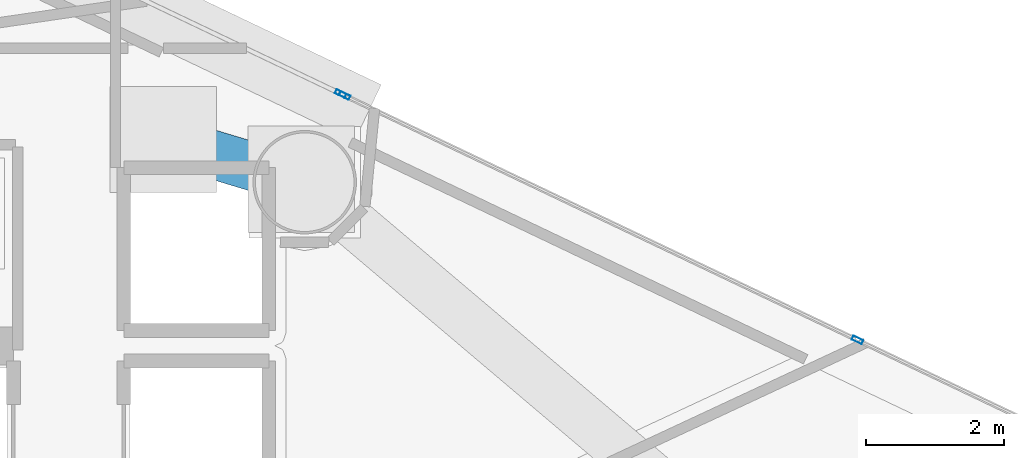
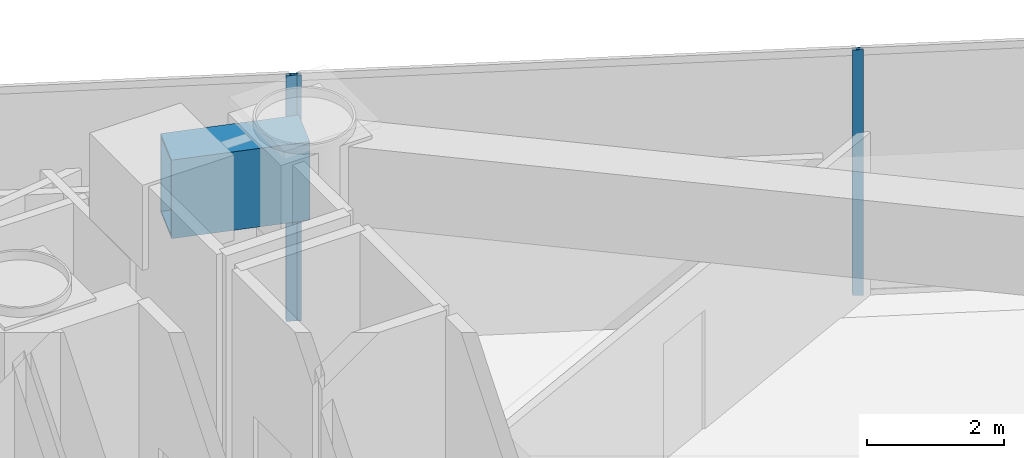
# One storey, part 11 of 22: 3 members, 1 beam, 2 elements without a shape of their own.
"""IFC4 building model written with IfcOpenShell, lengths in metres."""

from ifc_helpers import new_model, si_unit, direction, frame, origin, origin_2d, place, context, subcontext, project, spatial, hollow_rectangle, extrude, material, layer, layer_set, material_profile, profile_set, type_object, element, aggregate, save


model = new_model("IFC4")

# Units and contexts
model_context = context("Model", 3, precision=1e-05, world=origin(), true_north=direction((0.0, 1.0)))
body_context = subcontext(model_context, "Body", "Model", "MODEL_VIEW")
ifc_project = project(units=[si_unit("LENGTHUNIT", "METRE"), si_unit("AREAUNIT", "SQUARE_METRE"), si_unit("VOLUMEUNIT", "CUBIC_METRE"), si_unit("PLANEANGLEUNIT", "RADIAN"), si_unit("MASSUNIT", "GRAM", prefix="KILO")], contexts=[model_context])

# Site, building, storey
site_placement = place(None, origin())
site = spatial("IfcSite", under=ifc_project, at=site_placement, CompositionType="ELEMENT")
building_placement = place(site_placement, origin())
building = spatial("IfcBuilding", under=site, at=building_placement, Name="Qianvela Tower", CompositionType="ELEMENT")
storey_placement = place(building_placement, frame((0.0, 0.0, 138.5)))
storey = spatial("IfcBuildingStorey", under=building, at=storey_placement, Name="L35", CompositionType="ELEMENT", Elevation=138.5)

# Beam
ifc_material_1 = material(Name="Steel Q420GJC", Category="steel")
ifc_material_profile_1 = material_profile(ifc_material_1, hollow_rectangle(XDim=0.699951171875, YDim=1.39990234375, WallThickness=0.0400390625, at=origin_2d()), Name="TG-BOX-1400x700x40")
ifc_profile_set_1 = profile_set([ifc_material_profile_1], Name="Steel Q420GJC")
beam_type = type_object("IfcBeamType", Name="BM-TG-STEP-1400", PredefinedType="BEAM", material=ifc_profile_set_1)
beam_placement = place(storey_placement, frame((44.071044921875, 35.070068359375, 3.677978515625), z_axis=(-0.957498799383, 0.288437253455, 0.0), x_axis=(-0.288437253455, -0.957498799383, 0.0)))
element("IfcBeam", 1, at=beam_placement, inside=storey, type_object=beam_type, Name="L35 Zone-Step Transfer Girder 2", PredefinedType="BEAM", context=body_context, shape_type="SweptSolid", body=[
    extrude(hollow_rectangle(XDim=0.699951171875, YDim=1.39990234375, WallThickness=0.0400390625, at=origin_2d()), origin(), (0.0, 0.0, 1.0), 2.076171875),
])

# Curtain wall, member
ifc_material_2 = material(Name="Anodised Architectural Aluminium and Insulated Spandrel Panel", Category="aluminium")
ifc_layer_1 = layer(ifc_material_2, 0.179931640625)
ifc_layer_set_1 = layer_set([ifc_layer_1], Name="Anodised Architectural Aluminium and Insulated Spandrel Panel")
curtain_wall_type_1 = type_object("IfcCurtainWallType", Name="CW-BRACEBAY", PredefinedType="USERDEFINED", material=ifc_layer_set_1)
curtain_wall_1_placement = place(storey_placement, origin())
curtain_wall_1 = element("IfcCurtainWall", 2, at=curtain_wall_1_placement, inside=storey, type_object=curtain_wall_type_1, Name="L35 CW-BRACEBAY Curtain Wall 02B", ObjectType="CURTAIN_WALL_SYSTEM", PredefinedType="USERDEFINED")
ifc_material_3 = material(Name="Anodised Architectural Aluminium 6063-T6", Category="aluminium")
ifc_material_profile_2 = material_profile(ifc_material_3, hollow_rectangle(XDim=0.06494140625, YDim=0.159912109375, WallThickness=0.0048828125, at=origin_2d()), Name="ALU-MULL-65x160")
ifc_profile_set_2 = profile_set([ifc_material_profile_2], Name="Anodised Architectural Aluminium 6063-T6")
member_type_1 = type_object("IfcMemberType", Name="CW-BRACEBAY-MULL", PredefinedType="MULLION", material=ifc_profile_set_2)
member_1_placement = place(storey_placement, frame((44.58984375, 36.353271484375, 0.0), z_axis=(0.0, 0.0, 1.0), x_axis=(-0.430086189325, -0.90278783208, 0.0)))
member_1 = element("IfcMember", 3, at=member_1_placement, type_object=member_type_1, Name="CW-9 mullion 1", PredefinedType="MULLION", context=body_context, shape_type="SweptSolid", body=[
    extrude(hollow_rectangle(XDim=0.06494140625, YDim=0.159912109375, WallThickness=0.0048828125, at=origin_2d()), origin(), (0.0, 0.0, 1.0), 4.3798828125),
])
aggregate(curtain_wall_1, [member_1])

# Curtain wall, members
ifc_material_4 = material(Name="Anodised Architectural Aluminium and Low-E Glass", Category="aluminium")
ifc_layer_2 = layer(ifc_material_4, 0.169921875)
ifc_layer_set_2 = layer_set([ifc_layer_2], Name="Anodised Architectural Aluminium and Low-E Glass")
curtain_wall_type_2 = type_object("IfcCurtainWallType", Name="CW-COLIV-Z34", PredefinedType="USERDEFINED", material=ifc_layer_set_2)
curtain_wall_2_placement = place(storey_placement, origin())
curtain_wall_2 = element("IfcCurtainWall", 4, at=curtain_wall_2_placement, inside=storey, type_object=curtain_wall_type_2, Name="L35 CW-COLIV-Z34 Curtain Wall 02A", ObjectType="CURTAIN_WALL_SYSTEM", PredefinedType="USERDEFINED")
ifc_material_5 = material(Name="Anodised Architectural Aluminium 6063-T6", Category="aluminium")
ifc_material_profile_3 = material_profile(ifc_material_5, hollow_rectangle(XDim=0.06494140625, YDim=0.159912109375, WallThickness=0.0048828125, at=origin_2d()), Name="ALU-MULL-65x160")
ifc_profile_set_3 = profile_set([ifc_material_profile_3], Name="Anodised Architectural Aluminium 6063-T6")
member_type_2 = type_object("IfcMemberType", Name="CW-COLIV-Z34-MULL", PredefinedType="MULLION", material=ifc_profile_set_3)
member_2_placement = place(storey_placement, frame((52.080810546875, 32.78466796875, 0.0), z_axis=(0.0, 0.0, 1.0), x_axis=(-0.430089499063, -0.90278625532, 0.0)))
member_2 = element("IfcMember", 5, at=member_2_placement, type_object=member_type_2, Name="CW-4 mullion 2", PredefinedType="MULLION", context=body_context, shape_type="SweptSolid", body=[
    extrude(hollow_rectangle(XDim=0.06494140625, YDim=0.159912109375, WallThickness=0.0048828125, at=origin_2d()), origin(), (0.0, 0.0, 1.0), 4.3798828125),
])
member_3_placement = place(storey_placement, frame((44.6484375, 36.325439453125, 0.0), z_axis=(0.0, 0.0, 1.0), x_axis=(-0.430089499063, -0.90278625532, 0.0)))
member_3 = element("IfcMember", 6, at=member_3_placement, type_object=member_type_2, Name="CW-4 mullion 3", PredefinedType="MULLION", context=body_context, shape_type="SweptSolid", body=[
    extrude(hollow_rectangle(XDim=0.06494140625, YDim=0.159912109375, WallThickness=0.0048828125, at=origin_2d()), origin(), (0.0, 0.0, 1.0), 4.3798828125),
])
aggregate(curtain_wall_2, [member_2, member_3])

save(model, "model.ifc")
